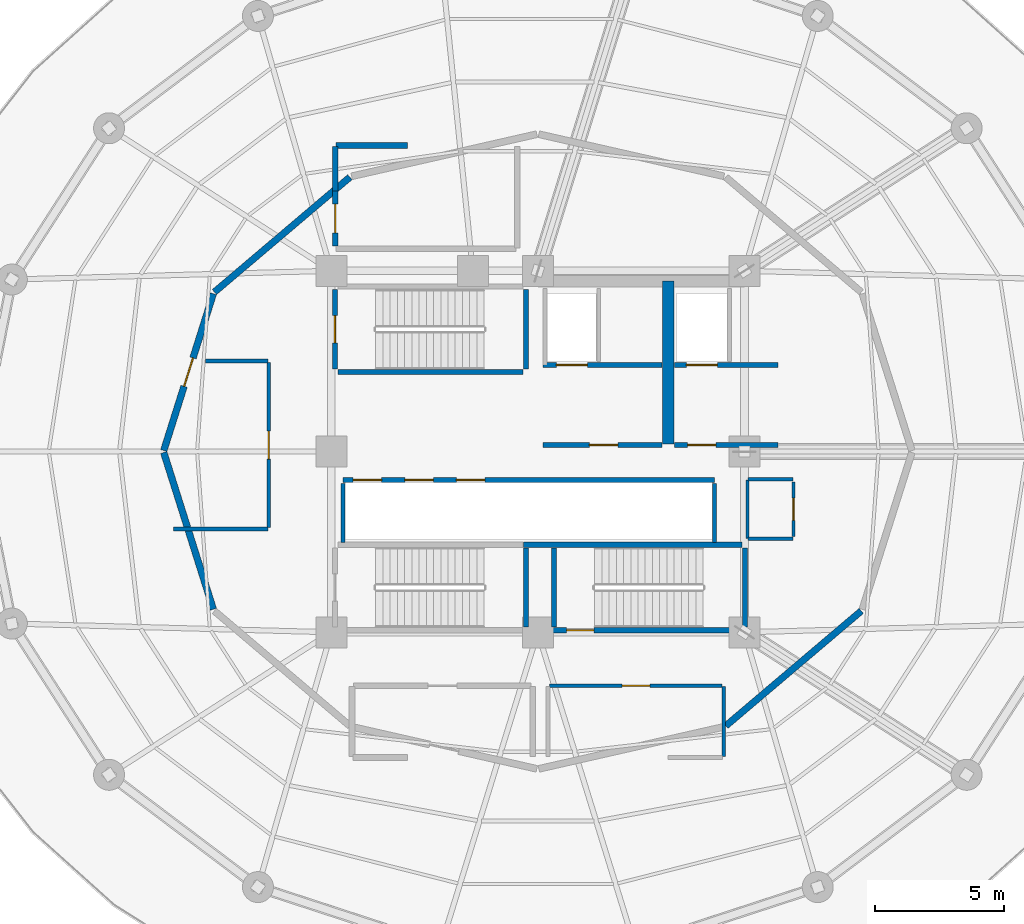
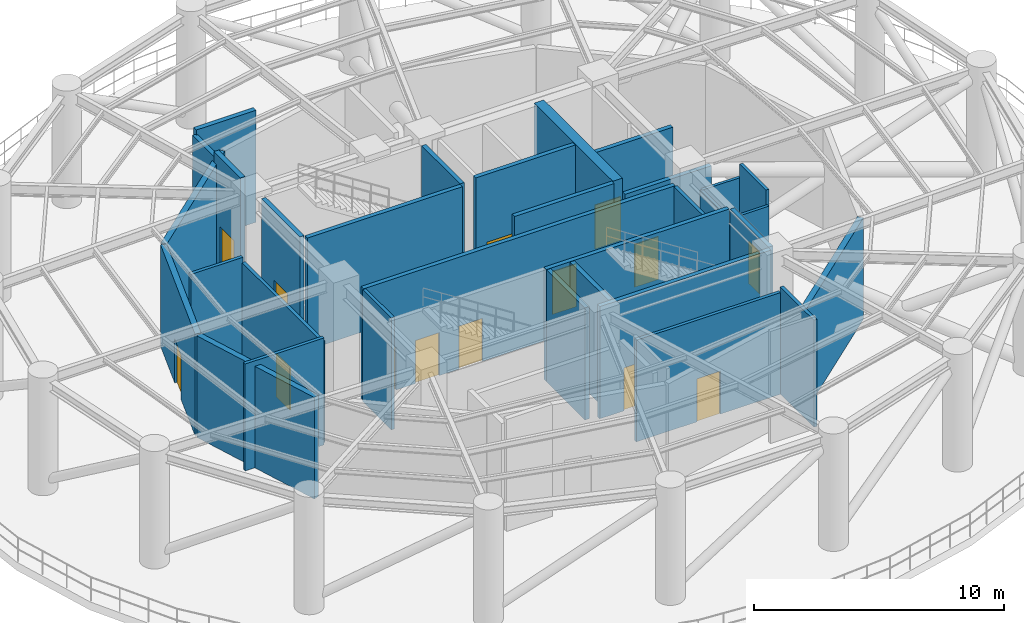
# One storey, part 4 of 7: 32 walls, 14 doors, 14 openings.
"""IFC4 building model written with IfcOpenShell, lengths in metres."""

from ifc_helpers import new_model, si_unit, direction, frame, frame_2d, origin, place, context, subcontext, project, spatial, rectangle, extrude, material, layer, layer_set, type_object, element, fill, save


model = new_model("IFC4")

# Units and contexts
model_context = context("Model", 3, precision=1e-05, world=origin(), true_north=direction((0.0, 1.0)))
body_context = subcontext(model_context, "Body", "Model", "MODEL_VIEW")
ifc_project = project(units=[si_unit("LENGTHUNIT", "METRE"), si_unit("AREAUNIT", "SQUARE_METRE"), si_unit("VOLUMEUNIT", "CUBIC_METRE"), si_unit("PLANEANGLEUNIT", "RADIAN"), si_unit("MASSUNIT", "GRAM", prefix="KILO")], contexts=[model_context])

# Site, building, storey
site_placement = place(None, origin())
site = spatial("IfcSite", under=ifc_project, at=site_placement, CompositionType="ELEMENT")
building_placement = place(site_placement, origin())
building = spatial("IfcBuilding", under=site, at=building_placement, Name="Kelanora Arch Commons", CompositionType="ELEMENT")
storey_placement = place(building_placement, frame((0.0, 0.0, 129.860107421875)))
storey = spatial("IfcBuildingStorey", under=building, at=storey_placement, Name="L33", CompositionType="ELEMENT", Elevation=129.860107421875)

# Walls
ifc_material_1 = material(Name="Autoclaved aerated concrete blockwork with fire plaster", Category="masonry")
ifc_layer_1 = layer(ifc_material_1, 0.14990234375)
ifc_layer_set_1 = layer_set([ifc_layer_1], Name="Autoclaved aerated concrete blockwork with fire plaster")
wall_type_1 = type_object("IfcWallType", Name="W-COMP-150", PredefinedType="PARTITIONING", material=ifc_layer_set_1)
for number, where, z_axis, x_axis, name in (
    (1, (66.4599609375, 54.47998046875, 0.0), (0.0, 0.0, 1.0), (0.0, 1.0, 0.0), "South Lift Bank West Wall L33"),
    (2, (80.840087890625, 54.47998046875, 0.0), (0.0, 0.0, 1.0), (0.0, 1.0, 0.0), "South Lift Bank East Wall L33"),
):
    element("IfcWall", number, at=place(storey_placement, frame(where, z_axis=z_axis, x_axis=x_axis)), inside=storey, type_object=wall_type_1, Name=name, PredefinedType="PARTITIONING", context=body_context, shape_type="SweptSolid", body=[
        extrude(rectangle(XDim=2.2900390625, YDim=0.14990234375, at=frame_2d((1.14501953125, 0.0))), origin(), (0.0, 0.0, 1.0), 5.469970703125),
    ])

# Wall, opening, door
wall_1_placement = place(storey_placement, frame((63.580078125, 55.06005859375, 0.0), z_axis=(0.0, 0.0, 1.0), x_axis=(0.0, 1.0, 0.0)))
wall_1 = element("IfcWall", 3, at=wall_1_placement, inside=storey, type_object=wall_type_1, Name="Dedicated Outdoor Air and Enthalpy Wheel Plant L33 Entry Partition", PredefinedType="PARTITIONING", context=body_context, shape_type="SweptSolid", body=[
    extrude(rectangle(XDim=6.3798828125, YDim=0.14990234375, at=frame_2d((3.18994140625, 0.0))), origin(), (0.0, 0.0, 1.0), 4.96484375),
])
opening_1_placement = place(wall_1_placement, frame((2.64990234375, 0.0, 0.0)))
opening_1 = element("IfcOpeningElement", 4, at=opening_1_placement, cuts=wall_1, Name="Opening D-PLT1", PredefinedType="OPENING", context=body_context, shape_type="SweptSolid", body=[
    extrude(rectangle(XDim=1.080078125, YDim=2.10009765625, at=frame_2d((0.5400390625, 1.050048828125))), frame((0.0, 0.0849609375, 0.0), z_axis=(0.0, -1.0, 0.0), x_axis=(1.0, 0.0, 0.0)), (0.0, 0.0, 1.0), 0.169921875),
])
ifc_material_2 = material(Name="Galvanised steel plant and riser fire door", Category="steel")
door_type_1 = type_object("IfcDoorType", Name="D-PLT-110", OperationType="NOTDEFINED", PredefinedType="DOOR", material=ifc_material_2)
door_1_placement = place(opening_1_placement, origin())
door_1 = element("IfcDoor", 5, at=door_1_placement, inside=storey, type_object=door_type_1, Name="Dedicated Outdoor Air and Enthalpy Wheel Plant L33 Door", OperationType="SINGLE_SWING_LEFT", OverallHeight=2.10009765625, OverallWidth=1.080078125, PredefinedType="DOOR", context=body_context, shape_type="SweptSolid", body=[
    extrude(rectangle(XDim=1.080078125, YDim=2.10009765625, at=frame_2d((0.5400390625, 1.050048828125))), frame((0.0, 0.02490234375, 0.0), z_axis=(0.0, -1.0, 0.0), x_axis=(1.0, 0.0, 0.0)), (0.0, 0.0, 1.0), 0.050048828125),
])
fill(opening_1, door_1)

wall_2_placement = place(storey_placement, frame((74.4599609375, 48.929931640625, 0.0), z_axis=(0.0, 0.0, 1.0), x_axis=(1.0, 0.0, 0.0)))
wall_2 = element("IfcWall", 6, at=wall_2_placement, inside=storey, type_object=wall_type_1, Name="Domestic Booster Pump and Electrical Switchroom L33 Entry Partition", PredefinedType="PARTITIONING", context=body_context, shape_type="SweptSolid", body=[
    extrude(rectangle(XDim=6.679931640625, YDim=0.14990234375, at=frame_2d((3.33984375, 0.0))), origin(), (0.0, 0.0, 1.0), 4.96484375),
])
opening_2_placement = place(wall_2_placement, frame((2.800048828125, 0.0, 0.0)))
opening_2 = element("IfcOpeningElement", 7, at=opening_2_placement, cuts=wall_2, Name="Opening D-PLT1", PredefinedType="OPENING", context=body_context, shape_type="SweptSolid", body=[
    extrude(rectangle(XDim=1.080078125, YDim=2.10009765625, at=frame_2d((0.5400390625, 1.050048828125))), frame((0.0, 0.0849609375, 0.0), z_axis=(0.0, -1.0, 0.0), x_axis=(1.0, 0.0, 0.0)), (0.0, 0.0, 1.0), 0.169921875),
])
door_2_placement = place(opening_2_placement, origin())
door_2 = element("IfcDoor", 8, at=door_2_placement, inside=storey, type_object=door_type_1, Name="Domestic Booster Pump and Electrical Switchroom L33 Door", OperationType="SINGLE_SWING_RIGHT", OverallHeight=2.10009765625, OverallWidth=1.080078125, PredefinedType="DOOR", context=body_context, shape_type="SweptSolid", body=[
    extrude(rectangle(XDim=1.080078125, YDim=2.10009765625, at=frame_2d((0.5400390625, 1.050048828125))), frame((0.0, 0.02490234375, 0.0), z_axis=(0.0, -1.0, 0.0), x_axis=(1.0, 0.0, 0.0)), (0.0, 0.0, 1.0), 0.050048828125),
])
fill(opening_2, door_2)

# Walls
wall_3_placement = place(storey_placement, frame((59.889892578125, 55.0, 0.0), z_axis=(0.0, 0.0, 1.0), x_axis=(1.0, 0.0, 0.0)))
element("IfcWall", 9, at=wall_3_placement, inside=storey, type_object=wall_type_1, Name="Dedicated Outdoor Air and Enthalpy Wheel Plant L33 Enclosure Partition 1", PredefinedType="PARTITIONING", context=body_context, shape_type="SweptSolid", body=[
    extrude(rectangle(XDim=3.650146484375, YDim=0.14990234375, at=frame_2d((1.8251953125, 0.0))), origin(), (0.0, 0.0, 1.0), 5.224853515625),
])
wall_4_placement = place(storey_placement, frame((63.5400390625, 61.5, 0.0), z_axis=(0.0, 0.0, 1.0), x_axis=(-1.0, 0.0, 0.0)))
element("IfcWall", 10, at=wall_4_placement, inside=storey, type_object=wall_type_1, Name="Dedicated Outdoor Air and Enthalpy Wheel Plant L33 Enclosure Partition 3", PredefinedType="PARTITIONING", context=body_context, shape_type="SweptSolid", body=[
    extrude(rectangle(XDim=2.40625, YDim=0.14990234375, at=frame_2d((1.203125, 0.0))), origin(), (0.0, 0.0, 1.0), 5.224853515625),
])
wall_5_placement = place(storey_placement, frame((81.199951171875, 46.18994140625, 0.0), z_axis=(0.0, 0.0, 1.0), x_axis=(0.0, 1.0, 0.0)))
element("IfcWall", 11, at=wall_5_placement, inside=storey, type_object=wall_type_1, Name="Domestic Booster Pump and Electrical Switchroom L33 Enclosure Partition 2", PredefinedType="PARTITIONING", context=body_context, shape_type="SweptSolid", body=[
    extrude(rectangle(XDim=2.699951171875, YDim=0.14990234375, at=frame_2d((1.35009765625, 0.0))), origin(), (0.0, 0.0, 1.0), 5.224853515625),
])
ifc_material_3 = material(Name="Concrete C60/75", Category="concrete")
ifc_layer_2 = layer(ifc_material_3, 0.449951171875)
ifc_layer_set_2 = layer_set([ifc_layer_2], Name="Concrete C60/75")
wall_type_2 = type_object("IfcWallType", Name="W-CORE-450", PredefinedType="SHEAR", material=ifc_layer_set_2)
wall_6_placement = place(storey_placement, frame((79.050048828125, 58.300048828125, 0.0), z_axis=(0.0, 0.0, 1.0), x_axis=(0.0, 1.0, 0.0)))
element("IfcWall", 12, at=wall_6_placement, inside=storey, type_object=wall_type_2, Name="Core Shear Spine L33-CE-N", PredefinedType="SHEAR", context=body_context, shape_type="SweptSolid", body=[
    extrude(rectangle(XDim=6.300048828125, YDim=0.449951171875, at=frame_2d((3.14990234375, 0.0))), origin(), (0.0, 0.0, 1.0), 5.47998046875),
])
ifc_material_4 = material(Name="Precast concrete C40/50 with terracotta rainscreen", Category="masonry")
ifc_layer_3 = layer(ifc_material_4, 0.260009765625)
ifc_layer_set_3 = layer_set([ifc_layer_3], Name="Precast concrete C40/50 with terracotta rainscreen")
wall_type_3 = type_object("IfcWallType", Name="W-EXT-TC", PredefinedType="SOLIDWALL", material=ifc_layer_set_3)
wall_7_placement = place(storey_placement, frame((66.719482421875, 68.626220703125, 0.0), z_axis=(0.0, 0.0, 1.0), x_axis=(-0.762580748943, -0.646893037018, 0.0)))
element("IfcWall", 13, at=wall_7_placement, inside=storey, type_object=wall_type_3, Name="Wind-Floor Plant/Refuge Enclosure Wall L33-05", PredefinedType="SOLIDWALL", context=body_context, shape_type="SweptSolid", body=[
    extrude(rectangle(XDim=6.879638671875, YDim=0.260009765625, at=frame_2d((3.43994140625, 0.0))), origin(), (0.0, 0.0, 1.0), 4.9599609375),
])

# Wall, opening, door
wall_8_placement = place(storey_placement, frame((61.4306640625, 64.11181640625, 0.0), z_axis=(0.0, 0.0, 1.0), x_axis=(-0.301228589113, -0.95355195826, 0.0)))
wall_8 = element("IfcWall", 14, at=wall_8_placement, inside=storey, type_object=wall_type_3, Name="Wind-Floor Plant/Refuge Enclosure Wall L33-06", PredefinedType="SOLIDWALL", context=body_context, shape_type="SweptSolid", body=[
    extrude(rectangle(XDim=6.36962890625, YDim=0.260009765625, at=frame_2d((3.184814453125, 0.0))), origin(), (0.0, 0.0, 1.0), 4.9599609375),
])
opening_3_placement = place(wall_8_placement, frame((2.610107421875, 0.0, 0.0)))
opening_3 = element("IfcOpeningElement", 15, at=opening_3_placement, cuts=wall_8, Name="Opening DT-01", PredefinedType="OPENING", context=body_context, shape_type="SweptSolid", body=[
    extrude(rectangle(XDim=1.14990234375, YDim=2.14990234375, at=frame_2d((0.574951171875, 1.074951171875))), frame((0.0, 0.14013671875, 0.0), z_axis=(0.0, -1.0, 0.0), x_axis=(1.0, 0.0, 0.0)), (0.0, 0.0, 1.0), 0.280029296875),
])
ifc_material_5 = material(Name="Weather-sealed aluminium terrace door", Category="aluminium")
door_type_2 = type_object("IfcDoorType", Name="D-TERR-12", OperationType="NOTDEFINED", PredefinedType="DOOR", material=ifc_material_5)
door_3_placement = place(opening_3_placement, frame((1.14990234375, 0.0, 0.0), z_axis=(0.0, 0.0, 1.0), x_axis=(-1.0, 0.0, 0.0)))
door_3 = element("IfcDoor", 16, at=door_3_placement, inside=storey, type_object=door_type_2, Name="Wind-Floor Deck Maintenance Door L33-05", OperationType="SINGLE_SWING_LEFT", OverallHeight=2.14990234375, OverallWidth=1.14990234375, PredefinedType="DOOR", context=body_context, shape_type="SweptSolid", body=[
    extrude(rectangle(XDim=1.14990234375, YDim=2.14990234375, at=frame_2d((0.574951171875, 1.074951171875))), frame((0.0, 0.02490234375, 0.0), z_axis=(0.0, -1.0, 0.0), x_axis=(1.0, 0.0, 0.0)), (0.0, 0.0, 1.0), 0.050048828125),
])
fill(opening_3, door_3)

# Walls
wall_9_placement = place(storey_placement, frame((59.511962890625, 57.9619140625, 0.0), z_axis=(0.0, 0.0, 1.0), x_axis=(0.301228589113, -0.95355195826, 0.0)))
element("IfcWall", 17, at=wall_9_placement, inside=storey, type_object=wall_type_3, Name="Wind-Floor Plant/Refuge Enclosure Wall L33-07", PredefinedType="SOLIDWALL", context=body_context, shape_type="SweptSolid", body=[
    extrude(rectangle(XDim=6.36962890625, YDim=0.260009765625, at=frame_2d((3.184814453125, 0.0))), origin(), (0.0, 0.0, 1.0), 4.9599609375),
])
wall_10_placement = place(storey_placement, frame((81.280517578125, 47.373779296875, 0.0), z_axis=(0.0, 0.0, 1.0), x_axis=(0.762580748943, 0.646893037018, 0.0)))
element("IfcWall", 18, at=wall_10_placement, inside=storey, type_object=wall_type_3, Name="Wind-Floor Plant/Refuge Enclosure Wall L33-11", PredefinedType="SOLIDWALL", context=body_context, shape_type="SweptSolid", body=[
    extrude(rectangle(XDim=6.879638671875, YDim=0.260009765625, at=frame_2d((3.43994140625, 0.0))), origin(), (0.0, 0.0, 1.0), 4.9599609375),
])

# Wall, opening, door
ifc_material_6 = material(Name="Concrete C40/50", Category="concrete")
ifc_layer_4 = layer(ifc_material_6, 0.199951171875)
ifc_layer_set_4 = layer_set([ifc_layer_4], Name="Concrete C40/50")
wall_type_4 = type_object("IfcWallType", Name="W-FFL-200", PredefinedType="SOLIDWALL", material=ifc_layer_set_4)
wall_11_placement = place(storey_placement, frame((74.199951171875, 61.35009765625, 0.0), z_axis=(0.0, 0.0, 1.0), x_axis=(1.0, 0.0, 0.0)))
wall_11 = element("IfcWall", 19, at=wall_11_placement, inside=storey, type_object=wall_type_4, Name="Firefighting Lift 1 Shaft Front L33", PredefinedType="SOLIDWALL", context=body_context, shape_type="SweptSolid", body=[
    extrude(rectangle(XDim=4.60009765625, YDim=0.199951171875, at=frame_2d((2.300048828125, 0.0))), origin(), (0.0, 0.0, 1.0), 5.469970703125),
])
opening_4_placement = place(wall_11_placement, frame((0.52001953125, 0.0, 0.0)))
opening_4 = element("IfcOpeningElement", 20, at=opening_4_placement, cuts=wall_11, Name="Opening LD-FF", PredefinedType="OPENING", context=body_context, shape_type="SweptSolid", body=[
    extrude(rectangle(XDim=1.199951171875, YDim=2.14990234375, at=frame_2d((0.60009765625, 1.074951171875))), frame((0.0, 0.10986328125, 0.0), z_axis=(0.0, -1.0, 0.0), x_axis=(1.0, 0.0, 0.0)), (0.0, 0.0, 1.0), 0.219970703125),
])
ifc_material_7 = material(Name="Fire-rated firefighters lift sliding landing door")
door_type_3 = type_object("IfcDoorType", Name="D-LIFT-FF", OperationType="NOTDEFINED", PredefinedType="DOOR", material=ifc_material_7)
door_4_placement = place(opening_4_placement, origin())
door_4 = element("IfcDoor", 21, at=door_4_placement, inside=storey, type_object=door_type_3, Name="Firefighting Lift LF-FF1 Landing Door L33", OperationType="DOUBLE_DOOR_SLIDING", OverallHeight=2.14990234375, OverallWidth=1.199951171875, PredefinedType="DOOR", context=body_context, shape_type="SweptSolid", body=[
    extrude(rectangle(XDim=1.199951171875, YDim=2.14990234375, at=frame_2d((0.60009765625, 1.074951171875))), frame((0.0, 0.02490234375, 0.0), z_axis=(0.0, -1.0, 0.0), x_axis=(1.0, 0.0, 0.0)), (0.0, 0.0, 1.0), 0.050048828125),
])
fill(opening_4, door_4)

wall_12_placement = place(storey_placement, frame((79.300048828125, 61.35009765625, 0.0), z_axis=(0.0, 0.0, 1.0), x_axis=(1.0, 0.0, 0.0)))
wall_12 = element("IfcWall", 22, at=wall_12_placement, inside=storey, type_object=wall_type_4, Name="Firefighting Lift 2 Shaft Front L33", PredefinedType="SOLIDWALL", context=body_context, shape_type="SweptSolid", body=[
    extrude(rectangle(XDim=4.0, YDim=0.199951171875, at=frame_2d((2.0, 0.0))), origin(), (0.0, 0.0, 1.0), 4.764892578125),
])
opening_5_placement = place(wall_12_placement, frame((0.449951171875, 0.0, 0.0)))
opening_5 = element("IfcOpeningElement", 23, at=opening_5_placement, cuts=wall_12, Name="Opening LD-FF", PredefinedType="OPENING", context=body_context, shape_type="SweptSolid", body=[
    extrude(rectangle(XDim=1.199951171875, YDim=2.14990234375, at=frame_2d((0.60009765625, 1.074951171875))), frame((0.0, 0.10986328125, 0.0), z_axis=(0.0, -1.0, 0.0), x_axis=(1.0, 0.0, 0.0)), (0.0, 0.0, 1.0), 0.219970703125),
])
door_5_placement = place(opening_5_placement, origin())
door_5 = element("IfcDoor", 24, at=door_5_placement, inside=storey, type_object=door_type_3, Name="Firefighting Lift LF-FF2 Landing Door L33", OperationType="DOUBLE_DOOR_SLIDING", OverallHeight=2.14990234375, OverallWidth=1.199951171875, PredefinedType="DOOR", context=body_context, shape_type="SweptSolid", body=[
    extrude(rectangle(XDim=1.199951171875, YDim=2.14990234375, at=frame_2d((0.60009765625, 1.074951171875))), frame((0.0, 0.02490234375, 0.0), z_axis=(0.0, -1.0, 0.0), x_axis=(1.0, 0.0, 0.0)), (0.0, 0.0, 1.0), 0.050048828125),
])
fill(opening_5, door_5)

wall_13_placement = place(storey_placement, frame((74.199951171875, 58.25, 0.0), z_axis=(0.0, 0.0, 1.0), x_axis=(1.0, 0.0, 0.0)))
wall_13 = element("IfcWall", 25, at=wall_13_placement, inside=storey, type_object=wall_type_4, Name="Firefighting Lobby 1 Enclosure Wall L33", PredefinedType="SOLIDWALL", context=body_context, shape_type="SweptSolid", body=[
    extrude(rectangle(XDim=4.60009765625, YDim=0.199951171875, at=frame_2d((2.300048828125, 0.0))), origin(), (0.0, 0.0, 1.0), 5.469970703125),
])
opening_6_placement = place(wall_13_placement, frame((1.800048828125, 0.0, 0.0)))
opening_6 = element("IfcOpeningElement", 26, at=opening_6_placement, cuts=wall_13, Name="Opening D-FFL1", PredefinedType="OPENING", context=body_context, shape_type="SweptSolid", body=[
    extrude(rectangle(XDim=1.10009765625, YDim=2.10009765625, at=frame_2d((0.550048828125, 1.050048828125))), frame((0.0, 0.10986328125, 0.0), z_axis=(0.0, -1.0, 0.0), x_axis=(1.0, 0.0, 0.0)), (0.0, 0.0, 1.0), 0.219970703125),
])
ifc_material_8 = material(Name="Smoke-sealed firefighting lobby fire door")
door_type_4 = type_object("IfcDoorType", Name="D-FFL-110", OperationType="NOTDEFINED", PredefinedType="DOOR", material=ifc_material_8)
door_6_placement = place(opening_6_placement, frame((1.10009765625, 0.0, 0.0), z_axis=(0.0, 0.0, 1.0), x_axis=(-1.0, 0.0, 0.0)))
door_6 = element("IfcDoor", 27, at=door_6_placement, inside=storey, type_object=door_type_4, Name="Firefighting Lobby 1 Door L33", OperationType="SINGLE_SWING_LEFT", OverallHeight=2.10009765625, OverallWidth=1.10009765625, PredefinedType="DOOR", context=body_context, shape_type="SweptSolid", body=[
    extrude(rectangle(XDim=1.10009765625, YDim=2.10009765625, at=frame_2d((0.550048828125, 1.050048828125))), frame((0.0, 0.02490234375, 0.0), z_axis=(0.0, -1.0, 0.0), x_axis=(1.0, 0.0, 0.0)), (0.0, 0.0, 1.0), 0.050048828125),
])
fill(opening_6, door_6)

wall_14_placement = place(storey_placement, frame((79.300048828125, 58.25, 0.0), z_axis=(0.0, 0.0, 1.0), x_axis=(1.0, 0.0, 0.0)))
wall_14 = element("IfcWall", 28, at=wall_14_placement, inside=storey, type_object=wall_type_4, Name="Firefighting Lobby 2 Enclosure Wall L33", PredefinedType="SOLIDWALL", context=body_context, shape_type="SweptSolid", body=[
    extrude(rectangle(XDim=4.0, YDim=0.199951171875, at=frame_2d((2.0, 0.0))), origin(), (0.0, 0.0, 1.0), 4.764892578125),
])
opening_7_placement = place(wall_14_placement, frame((0.5, 0.0, 0.0)))
opening_7 = element("IfcOpeningElement", 29, at=opening_7_placement, cuts=wall_14, Name="Opening D-FFL1", PredefinedType="OPENING", context=body_context, shape_type="SweptSolid", body=[
    extrude(rectangle(XDim=1.10009765625, YDim=2.10009765625, at=frame_2d((0.550048828125, 1.050048828125))), frame((0.0, 0.10986328125, 0.0), z_axis=(0.0, -1.0, 0.0), x_axis=(1.0, 0.0, 0.0)), (0.0, 0.0, 1.0), 0.219970703125),
])
door_7_placement = place(opening_7_placement, frame((1.10009765625, 0.0, 0.0), z_axis=(0.0, 0.0, 1.0), x_axis=(-1.0, 0.0, 0.0)))
door_7 = element("IfcDoor", 30, at=door_7_placement, inside=storey, type_object=door_type_4, Name="Firefighting Lobby 2 Door L33", OperationType="SINGLE_SWING_RIGHT", OverallHeight=2.10009765625, OverallWidth=1.10009765625, PredefinedType="DOOR", context=body_context, shape_type="SweptSolid", body=[
    extrude(rectangle(XDim=1.10009765625, YDim=2.10009765625, at=frame_2d((0.550048828125, 1.050048828125))), frame((0.0, 0.02490234375, 0.0), z_axis=(0.0, -1.0, 0.0), x_axis=(1.0, 0.0, 0.0)), (0.0, 0.0, 1.0), 0.050048828125),
])
fill(opening_7, door_7)

# Wall, openings, doors
wall_15_placement = place(storey_placement, frame((66.449951171875, 56.89990234375, 0.0), z_axis=(0.0, 0.0, 1.0), x_axis=(1.0, 0.0, 0.0)))
wall_15 = element("IfcWall", 31, at=wall_15_placement, inside=storey, type_object=wall_type_4, Name="Mid/High/Express Lift Shaft Front L33", PredefinedType="SOLIDWALL", context=body_context, shape_type="SweptSolid", body=[
    extrude(rectangle(XDim=14.400146484375, YDim=0.199951171875, at=frame_2d((7.2001953125, 0.0))), origin(), (0.0, 0.0, 1.0), 5.469970703125),
])
opening_8_placement = place(wall_15_placement, frame((0.39990234375, 0.0, 0.0)))
opening_8 = element("IfcOpeningElement", 32, at=opening_8_placement, cuts=wall_15, Name="Opening LD-01", PredefinedType="OPENING", context=body_context, shape_type="SweptSolid", body=[
    extrude(rectangle(XDim=1.10009765625, YDim=2.10009765625, at=frame_2d((0.550048828125, 1.050048828125))), frame((0.0, 0.10986328125, 0.0), z_axis=(0.0, -1.0, 0.0), x_axis=(1.0, 0.0, 0.0)), (0.0, 0.0, 1.0), 0.219970703125),
])
opening_9_placement = place(wall_15_placement, frame((2.39990234375, 0.0, 0.0)))
opening_9 = element("IfcOpeningElement", 33, at=opening_9_placement, cuts=wall_15, Name="Opening LD-01", PredefinedType="OPENING", context=body_context, shape_type="SweptSolid", body=[
    extrude(rectangle(XDim=1.10009765625, YDim=2.10009765625, at=frame_2d((0.550048828125, 1.050048828125))), frame((0.0, 0.10986328125, 0.0), z_axis=(0.0, -1.0, 0.0), x_axis=(1.0, 0.0, 0.0)), (0.0, 0.0, 1.0), 0.219970703125),
])
opening_10_placement = place(wall_15_placement, frame((4.39990234375, 0.0, 0.0)))
opening_10 = element("IfcOpeningElement", 34, at=opening_10_placement, cuts=wall_15, Name="Opening LD-01", PredefinedType="OPENING", context=body_context, shape_type="SweptSolid", body=[
    extrude(rectangle(XDim=1.10009765625, YDim=2.10009765625, at=frame_2d((0.550048828125, 1.050048828125))), frame((0.0, 0.10986328125, 0.0), z_axis=(0.0, -1.0, 0.0), x_axis=(1.0, 0.0, 0.0)), (0.0, 0.0, 1.0), 0.219970703125),
])
ifc_material_9 = material(Name="Stainless steel passenger lift sliding landing door", Category="steel")
door_type_5 = type_object("IfcDoorType", Name="D-LIFT-110", OperationType="NOTDEFINED", PredefinedType="DOOR", material=ifc_material_9)
door_8_placement = place(opening_8_placement, origin())
door_8 = element("IfcDoor", 35, at=door_8_placement, inside=storey, type_object=door_type_5, Name="Passenger Lift LF-P4 Landing Door L33", OperationType="DOUBLE_DOOR_SLIDING", OverallHeight=2.10009765625, OverallWidth=1.10009765625, PredefinedType="DOOR", context=body_context, shape_type="SweptSolid", body=[
    extrude(rectangle(XDim=1.10009765625, YDim=2.10009765625, at=frame_2d((0.550048828125, 1.050048828125))), frame((0.0, 0.02490234375, 0.0), z_axis=(0.0, -1.0, 0.0), x_axis=(1.0, 0.0, 0.0)), (0.0, 0.0, 1.0), 0.050048828125),
])
fill(opening_8, door_8)
door_9_placement = place(opening_9_placement, origin())
door_9 = element("IfcDoor", 36, at=door_9_placement, inside=storey, type_object=door_type_5, Name="Passenger Lift LF-P5 Landing Door L33", OperationType="DOUBLE_DOOR_SLIDING", OverallHeight=2.10009765625, OverallWidth=1.10009765625, PredefinedType="DOOR", context=body_context, shape_type="SweptSolid", body=[
    extrude(rectangle(XDim=1.10009765625, YDim=2.10009765625, at=frame_2d((0.550048828125, 1.050048828125))), frame((0.0, 0.02490234375, 0.0), z_axis=(0.0, -1.0, 0.0), x_axis=(1.0, 0.0, 0.0)), (0.0, 0.0, 1.0), 0.050048828125),
])
fill(opening_9, door_9)
door_10_placement = place(opening_10_placement, origin())
door_10 = element("IfcDoor", 37, at=door_10_placement, inside=storey, type_object=door_type_5, Name="Passenger Lift LF-P6 Landing Door L33", OperationType="DOUBLE_DOOR_SLIDING", OverallHeight=2.10009765625, OverallWidth=1.10009765625, PredefinedType="DOOR", context=body_context, shape_type="SweptSolid", body=[
    extrude(rectangle(XDim=1.10009765625, YDim=2.10009765625, at=frame_2d((0.550048828125, 1.050048828125))), frame((0.0, 0.02490234375, 0.0), z_axis=(0.0, -1.0, 0.0), x_axis=(1.0, 0.0, 0.0)), (0.0, 0.0, 1.0), 0.050048828125),
])
fill(opening_10, door_10)

# Wall, opening, door
ifc_layer_5 = layer(ifc_material_6, 0.219970703125)
ifc_layer_set_5 = layer_set([ifc_layer_5], Name="Concrete C40/50")
wall_type_5 = type_object("IfcWallType", Name="W-REF-200", PredefinedType="SOLIDWALL", material=ifc_layer_set_5)
wall_16_placement = place(storey_placement, frame((66.14990234375, 65.9599609375, 0.0), z_axis=(0.0, 0.0, 1.0), x_axis=(0.0, 1.0, 0.0)))
wall_16 = element("IfcWall", 38, at=wall_16_placement, inside=storey, type_object=wall_type_5, Name="Protected Fire Refuge Holding Area L33-North Entry Partition", PredefinedType="SOLIDWALL", context=body_context, shape_type="SweptSolid", body=[
    extrude(rectangle(XDim=2.130126953125, YDim=0.219970703125, at=frame_2d((1.06494140625, 0.0))), origin(), (0.0, 0.0, 1.0), 5.469970703125),
])
opening_11_placement = place(wall_16_placement, frame((0.5048828125, 0.0, 0.0)))
opening_11 = element("IfcOpeningElement", 39, at=opening_11_placement, cuts=wall_16, Name="Opening D-REF1", PredefinedType="OPENING", context=body_context, shape_type="SweptSolid", body=[
    extrude(rectangle(XDim=1.1201171875, YDim=2.10009765625, at=frame_2d((0.56005859375, 1.050048828125))), frame((0.0, 0.1201171875, 0.0), z_axis=(0.0, -1.0, 0.0), x_axis=(1.0, 0.0, 0.0)), (0.0, 0.0, 1.0), 0.239990234375),
])
ifc_material_10 = material(Name="Two-hour fire refuge holding room door")
door_type_6 = type_object("IfcDoorType", Name="D-REF-110", OperationType="NOTDEFINED", PredefinedType="DOOR", material=ifc_material_10)
door_11_placement = place(opening_11_placement, origin())
door_11 = element("IfcDoor", 40, at=door_11_placement, inside=storey, type_object=door_type_6, Name="Protected Fire Refuge Holding Area L33-North Door", OperationType="SINGLE_SWING_LEFT", OverallHeight=2.10009765625, OverallWidth=1.1201171875, PredefinedType="DOOR", context=body_context, shape_type="SweptSolid", body=[
    extrude(rectangle(XDim=1.1201171875, YDim=2.10009765625, at=frame_2d((0.56005859375, 1.050048828125))), frame((0.0, 0.02490234375, 0.0), z_axis=(0.0, -1.0, 0.0), x_axis=(1.0, 0.0, 0.0)), (0.0, 0.0, 1.0), 0.050048828125),
])
fill(opening_11, door_11)

# Walls
wall_17_placement = place(storey_placement, frame((68.9521484375, 69.85009765625, 0.0), z_axis=(0.0, 0.0, 1.0), x_axis=(-1.0, 0.0, 0.0)))
element("IfcWall", 41, at=wall_17_placement, inside=storey, type_object=wall_type_5, Name="Protected Fire Refuge Holding Area L33-North Enclosure Partition 3", PredefinedType="SOLIDWALL", context=body_context, shape_type="SweptSolid", body=[
    extrude(rectangle(XDim=2.76220703125, YDim=0.219970703125, at=frame_2d((1.381103515625, 0.0))), origin(), (0.0, 0.0, 1.0), 5.469970703125),
])
wall_18_placement = place(storey_placement, frame((66.14990234375, 69.81005859375, 0.0), z_axis=(0.0, 0.0, 1.0), x_axis=(0.0, -1.0, 0.0)))
element("IfcWall", 42, at=wall_18_placement, inside=storey, type_object=wall_type_5, Name="Protected Fire Refuge Holding Area L33-North Enclosure Partition 4", PredefinedType="SOLIDWALL", context=body_context, shape_type="SweptSolid", body=[
    extrude(rectangle(XDim=1.719970703125, YDim=0.219970703125, at=frame_2d((0.85986328125, 0.0))), origin(), (0.0, 0.0, 1.0), 5.224853515625),
])
ifc_layer_6 = layer(ifc_material_6, 0.199951171875)
ifc_layer_set_6 = layer_set([ifc_layer_6], Name="Concrete C40/50")
wall_type_6 = type_object("IfcWallType", Name="W-STAIR-200", PredefinedType="SHEAR", material=ifc_layer_set_6)
wall_19_placement = place(storey_placement, frame((66.260009765625, 61.080078125, 0.0), z_axis=(0.0, 0.0, 1.0), x_axis=(1.0, 0.0, 0.0)))
element("IfcWall", 43, at=wall_19_placement, inside=storey, type_object=wall_type_6, Name="Stair ST-T1 Shaft Wall S L33", PredefinedType="SHEAR", context=body_context, shape_type="SweptSolid", body=[
    extrude(rectangle(XDim=7.159912109375, YDim=0.199951171875, at=frame_2d((3.580078125, 0.0))), origin(), (0.0, 0.0, 1.0), 5.47998046875),
])
wall_20_placement = place(storey_placement, frame((73.5400390625, 61.199951171875, 0.0), z_axis=(0.0, 0.0, 1.0), x_axis=(0.0, 1.0, 0.0)))
element("IfcWall", 44, at=wall_20_placement, inside=storey, type_object=wall_type_6, Name="Stair ST-T1 Shaft Wall E L33", PredefinedType="SHEAR", context=body_context, shape_type="SweptSolid", body=[
    extrude(rectangle(XDim=3.070068359375, YDim=0.199951171875, at=frame_2d((1.53515625, 0.0))), origin(), (0.0, 0.0, 1.0), 5.47998046875),
])

# Wall, opening, door
wall_21_placement = place(storey_placement, frame((66.139892578125, 64.27001953125, 0.0), z_axis=(0.0, 0.0, 1.0), x_axis=(0.0, -1.0, 0.0)))
wall_21 = element("IfcWall", 45, at=wall_21_placement, inside=storey, type_object=wall_type_6, Name="Stair ST-T1 Shaft Wall W L33", PredefinedType="SHEAR", context=body_context, shape_type="SweptSolid", body=[
    extrude(rectangle(XDim=3.070068359375, YDim=0.199951171875, at=frame_2d((1.53515625, 0.0))), origin(), (0.0, 0.0, 1.0), 5.47998046875),
])
opening_12_placement = place(wall_21_placement, frame((1.010009765625, 0.0, 0.0)))
opening_12 = element("IfcOpeningElement", 46, at=opening_12_placement, cuts=wall_21, Name="Opening D-ST1", PredefinedType="OPENING", context=body_context, shape_type="SweptSolid", body=[
    extrude(rectangle(XDim=1.050048828125, YDim=2.10009765625, at=frame_2d((0.52490234375, 1.050048828125))), frame((0.0, 0.10986328125, 0.0), z_axis=(0.0, -1.0, 0.0), x_axis=(1.0, 0.0, 0.0)), (0.0, 0.0, 1.0), 0.219970703125),
])
ifc_material_11 = material(Name="Steel fire-rated stairwell escape door", Category="steel")
door_type_7 = type_object("IfcDoorType", Name="D-STAIR-110", OperationType="NOTDEFINED", PredefinedType="DOOR", material=ifc_material_11)
door_12_placement = place(opening_12_placement, origin())
door_12 = element("IfcDoor", 47, at=door_12_placement, inside=storey, type_object=door_type_7, Name="Stair ST-T1 Escape Door L33", OperationType="SINGLE_SWING_LEFT", OverallHeight=2.10009765625, OverallWidth=1.050048828125, PredefinedType="DOOR", context=body_context, shape_type="SweptSolid", body=[
    extrude(rectangle(XDim=1.050048828125, YDim=2.10009765625, at=frame_2d((0.52490234375, 1.050048828125))), frame((0.0, 0.02490234375, 0.0), z_axis=(0.0, -1.0, 0.0), x_axis=(1.0, 0.0, 0.0)), (0.0, 0.0, 1.0), 0.050048828125),
])
fill(opening_12, door_12)

wall_22_placement = place(storey_placement, frame((74.0, 51.080078125, 0.0), z_axis=(0.0, 0.0, 1.0), x_axis=(1.0, 0.0, 0.0)))
wall_22 = element("IfcWall", 48, at=wall_22_placement, inside=storey, type_object=wall_type_6, Name="Stair ST-T2 Shaft Wall S L33", PredefinedType="SHEAR", context=body_context, shape_type="SweptSolid", body=[
    extrude(rectangle(XDim=7.89990234375, YDim=0.199951171875, at=frame_2d((3.949951171875, 0.0))), origin(), (0.0, 0.0, 1.0), 5.47998046875),
])
opening_13_placement = place(wall_22_placement, frame((1.1201171875, 0.0, 0.0)))
opening_13 = element("IfcOpeningElement", 49, at=opening_13_placement, cuts=wall_22, Name="Opening D-ST1", PredefinedType="OPENING", context=body_context, shape_type="SweptSolid", body=[
    extrude(rectangle(XDim=1.050048828125, YDim=2.10009765625, at=frame_2d((0.52490234375, 1.050048828125))), frame((0.0, 0.10986328125, 0.0), z_axis=(0.0, -1.0, 0.0), x_axis=(1.0, 0.0, 0.0)), (0.0, 0.0, 1.0), 0.219970703125),
])
door_13_placement = place(opening_13_placement, origin())
door_13 = element("IfcDoor", 50, at=door_13_placement, inside=storey, type_object=door_type_7, Name="Stair ST-T2 Escape Door L33", OperationType="SINGLE_SWING_LEFT", OverallHeight=2.10009765625, OverallWidth=1.050048828125, PredefinedType="DOOR", context=body_context, shape_type="SweptSolid", body=[
    extrude(rectangle(XDim=1.050048828125, YDim=2.10009765625, at=frame_2d((0.52490234375, 1.050048828125))), frame((0.0, 0.02490234375, 0.0), z_axis=(0.0, -1.0, 0.0), x_axis=(1.0, 0.0, 0.0)), (0.0, 0.0, 1.0), 0.050048828125),
])
fill(opening_13, door_13)

# Walls
wall_23_placement = place(storey_placement, frame((82.02001953125, 51.199951171875, 0.0), z_axis=(0.0, 0.0, 1.0), x_axis=(0.0, 1.0, 0.0)))
element("IfcWall", 51, at=wall_23_placement, inside=storey, type_object=wall_type_6, Name="Stair ST-T2 Shaft Wall E L33", PredefinedType="SHEAR", context=body_context, shape_type="SweptSolid", body=[
    extrude(rectangle(XDim=3.070068359375, YDim=0.199951171875, at=frame_2d((1.53515625, 0.0))), origin(), (0.0, 0.0, 1.0), 5.47998046875),
])
wall_24_placement = place(storey_placement, frame((81.89990234375, 54.389892578125, 0.0), z_axis=(0.0, 0.0, 1.0), x_axis=(-1.0, 0.0, 0.0)))
element("IfcWall", 52, at=wall_24_placement, inside=storey, type_object=wall_type_6, Name="Stair ST-T2 Shaft Wall N L33", PredefinedType="SHEAR", context=body_context, shape_type="SweptSolid", body=[
    extrude(rectangle(XDim=8.4599609375, YDim=0.199951171875, at=frame_2d((4.22998046875, 0.0))), origin(), (0.0, 0.0, 1.0), 5.47998046875),
])
for number, where, z_axis, x_axis, name in (
    (53, (74.6201171875, 54.27001953125, 0.0), (0.0, 0.0, 1.0), (0.0, -1.0, 0.0), "Stair ST-T2 Shaft Wall W L33"),
    (54, (73.5400390625, 51.199951171875, 0.0), (0.0, 0.0, 1.0), (0.0, 1.0, 0.0), "Stair ST-T3 Shaft Wall E L33"),
):
    element("IfcWall", number, at=place(storey_placement, frame(where, z_axis=z_axis, x_axis=x_axis)), inside=storey, type_object=wall_type_6, Name=name, PredefinedType="SHEAR", context=body_context, shape_type="SweptSolid", body=[
        extrude(rectangle(XDim=3.070068359375, YDim=0.199951171875, at=frame_2d((1.53515625, 0.0))), origin(), (0.0, 0.0, 1.0), 5.47998046875),
    ])

# Wall, opening, door
ifc_material_12 = material(Name="Moisture-resistant fire-rated cement-board plumbing wall")
ifc_layer_7 = layer(ifc_material_12, 0.1298828125)
ifc_layer_set_7 = layer_set([ifc_layer_7], Name="Moisture-resistant fire-rated cement-board plumbing wall")
wall_type_7 = type_object("IfcWallType", Name="W-WET-120", PredefinedType="PLUMBINGWALL", material=ifc_layer_set_7)
wall_25_placement = place(storey_placement, frame((83.89990234375, 54.7099609375, 0.0), z_axis=(0.0, 0.0, 1.0), x_axis=(0.0, 1.0, 0.0)))
wall_25 = element("IfcWall", 55, at=wall_25_placement, inside=storey, type_object=wall_type_7, Name="Refuge Accessible First-Aid WC L33 Entry Partition", PredefinedType="PLUMBINGWALL", context=body_context, shape_type="SweptSolid", body=[
    extrude(rectangle(XDim=2.110107421875, YDim=0.1298828125, at=frame_2d((1.05517578125, 0.0))), origin(), (0.0, 0.0, 1.0), 5.469970703125),
])
opening_14_placement = place(wall_25_placement, frame((0.625, 0.0, 0.0)))
opening_14 = element("IfcOpeningElement", 56, at=opening_14_placement, cuts=wall_25, Name="Opening D-BT1", PredefinedType="OPENING", context=body_context, shape_type="SweptSolid", body=[
    extrude(rectangle(XDim=0.860107421875, YDim=2.050048828125, at=frame_2d((0.43017578125, 1.02490234375))), frame((0.0, 0.074951171875, 0.0), z_axis=(0.0, -1.0, 0.0), x_axis=(1.0, 0.0, 0.0)), (0.0, 0.0, 1.0), 0.14990234375),
])
ifc_material_13 = material(Name="Moisture-sealed fire-rated accessible bathroom door")
door_type_8 = type_object("IfcDoorType", Name="D-BATH-85", OperationType="NOTDEFINED", PredefinedType="DOOR", material=ifc_material_13)
door_14_placement = place(opening_14_placement, origin())
door_14 = element("IfcDoor", 57, at=door_14_placement, inside=storey, type_object=door_type_8, Name="Refuge Accessible First-Aid WC L33 Door", OperationType="SINGLE_SWING_LEFT", OverallHeight=2.050048828125, OverallWidth=0.860107421875, PredefinedType="DOOR", context=body_context, shape_type="SweptSolid", body=[
    extrude(rectangle(XDim=0.860107421875, YDim=2.050048828125, at=frame_2d((0.43017578125, 1.02490234375))), frame((0.0, 0.02490234375, 0.0), z_axis=(0.0, -1.0, 0.0), x_axis=(1.0, 0.0, 0.0)), (0.0, 0.0, 1.0), 0.050048828125),
])
fill(opening_14, door_14)

# Walls
for number, where, z_axis, x_axis, name in (
    (58, (82.139892578125, 54.6201171875, 0.0), (0.0, 0.0, 1.0), (1.0, 0.0, 0.0), "Refuge Accessible First-Aid WC L33 Enclosure Partition 1"),
    (59, (83.8798828125, 56.919921875, 0.0), (0.0, 0.0, 1.0), (-1.0, 0.0, 0.0), "Refuge Accessible First-Aid WC L33 Enclosure Partition 3"),
):
    element("IfcWall", number, at=place(storey_placement, frame(where, z_axis=z_axis, x_axis=x_axis)), inside=storey, type_object=wall_type_7, Name=name, PredefinedType="PLUMBINGWALL", context=body_context, shape_type="SweptSolid", body=[
        extrude(rectangle(XDim=1.739990234375, YDim=0.1298828125, at=frame_2d((0.8701171875, 0.0))), origin(), (0.0, 0.0, 1.0), 4.764892578125),
    ])
wall_26_placement = place(storey_placement, frame((82.1201171875, 56.89990234375, 0.0), z_axis=(0.0, 0.0, 1.0), x_axis=(0.0, -1.0, 0.0)))
element("IfcWall", 60, at=wall_26_placement, inside=storey, type_object=wall_type_7, Name="Refuge Accessible First-Aid WC L33 Enclosure Partition 4", PredefinedType="PLUMBINGWALL", context=body_context, shape_type="SweptSolid", body=[
    extrude(rectangle(XDim=2.260009765625, YDim=0.1298828125, at=frame_2d((1.1298828125, 0.0))), origin(), (0.0, 0.0, 1.0), 4.764892578125),
])

save(model, "model.ifc")
